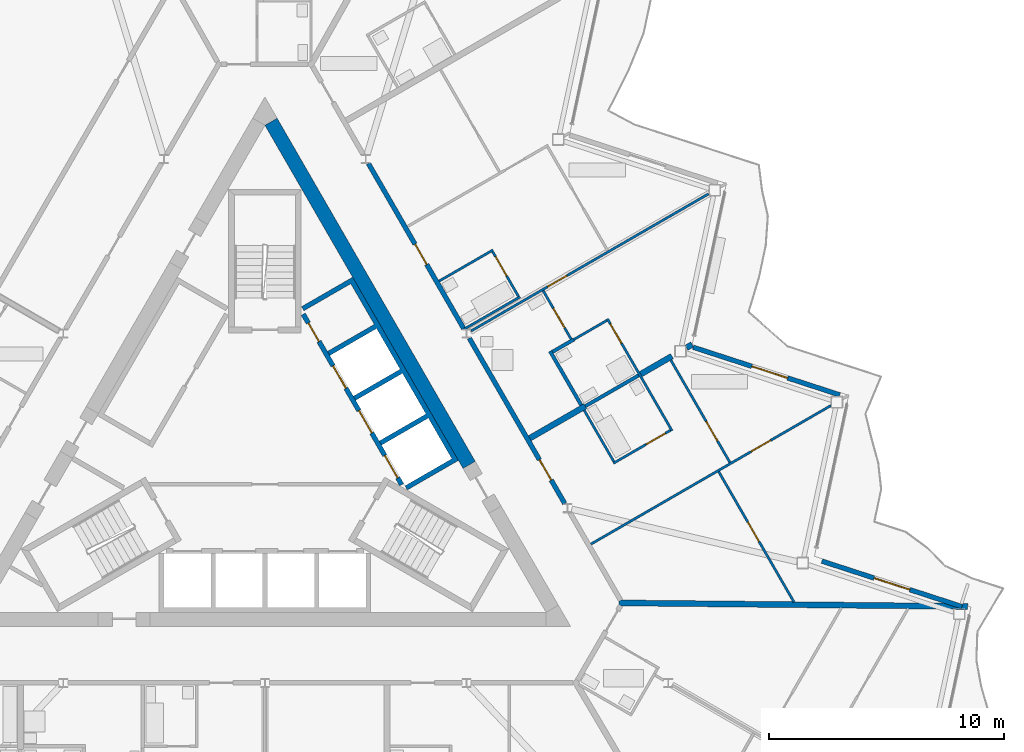
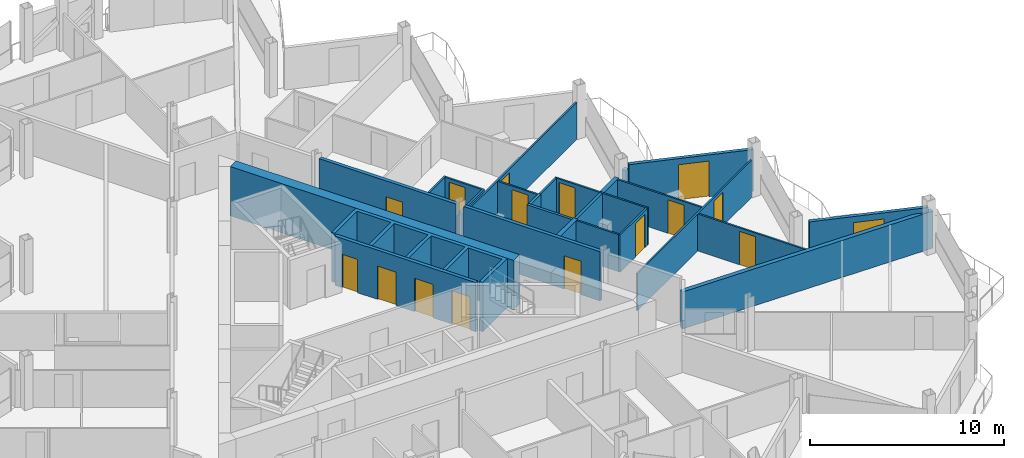
# One storey, part 16 of 26: 26 walls, 16 doors, 16 openings.
"""IFC4 building model written with IfcOpenShell, lengths in metres."""

from ifc_helpers import new_model, si_unit, direction, frame, frame_2d, origin, place, context, subcontext, project, spatial, polyline, rectangle, outline, extrude, material, layer, layer_set, type_object, element, fill, save


model = new_model("IFC4")

# Units and contexts
model_context = context("Model", 3, precision=1e-05, world=origin(), true_north=direction((0.0, 1.0)))
body_context = subcontext(model_context, "Body", "Model", "MODEL_VIEW")
ifc_project = project(units=[si_unit("LENGTHUNIT", "METRE"), si_unit("AREAUNIT", "SQUARE_METRE"), si_unit("VOLUMEUNIT", "CUBIC_METRE"), si_unit("PLANEANGLEUNIT", "RADIAN"), si_unit("MASSUNIT", "GRAM", prefix="KILO")], contexts=[model_context])

# Site, building, storey
site_placement = place(None, origin())
site = spatial("IfcSite", under=ifc_project, at=site_placement, CompositionType="ELEMENT")
building_placement = place(site_placement, origin())
building = spatial("IfcBuilding", under=site, at=building_placement, Name="Cormorant Prow Tower", CompositionType="ELEMENT")
storey_placement = place(building_placement, frame((0.0, 0.0, 371.199951171875)))
storey = spatial("IfcBuildingStorey", under=building, at=storey_placement, Name="L83", CompositionType="ELEMENT", Elevation=371.199951171875)

# Wall
ifc_material_1 = material(Name="Concrete 8000 psi", Category="concrete")
ifc_layer_1 = layer(ifc_material_1, 0.60009765625)
ifc_layer_set_1 = layer_set([ifc_layer_1], Name="Concrete 8000 psi")
wall_type_1 = type_object("IfcWallType", Name="Core shear wall 600", PredefinedType="SHEAR", material=ifc_layer_set_1)
wall_1_placement = place(storey_placement, frame((8.686279296875, -0.6337890625, 0.0), z_axis=(0.0, 0.0, 1.0), x_axis=(-0.500004601921, 0.866022746848, 0.0)))
element("IfcWall", 1, at=wall_1_placement, inside=storey, type_object=wall_type_1, Name="Core wall", PredefinedType="SHEAR", context=body_context, shape_type="SweptSolid", body=[
    extrude(rectangle(XDim=16.852783203125, YDim=0.60009765625, at=frame_2d((8.42626953125, 0.0))), origin(), (0.0, 0.0, 1.0), 3.10009765625),
])

# Wall, opening, door
ifc_material_2 = material(Name="Gypsum board corridor wall")
ifc_layer_2 = layer(ifc_material_2, 0.199951171875)
ifc_layer_set_2 = layer_set([ifc_layer_2], Name="Gypsum board corridor wall")
wall_type_2 = type_object("IfcWallType", Name="Corridor wall 200", PredefinedType="PARTITIONING", material=ifc_layer_set_2)
wall_2_placement = place(storey_placement, frame((4.403076171875, 12.184814453125, 0.0), z_axis=(0.0, 0.0, 1.0), x_axis=(0.499992155518, -0.866029932751, 0.0)))
wall_2 = element("IfcWall", 2, at=wall_2_placement, inside=storey, type_object=wall_type_2, Name="Corridor wall", PredefinedType="PARTITIONING", context=body_context, shape_type="SweptSolid", body=[
    extrude(rectangle(XDim=8.123291015625, YDim=0.199951171875, at=frame_2d((4.0615234375, 0.0))), origin(), (0.0, 0.0, 1.0), 3.10009765625),
])
opening_1_placement = place(wall_2_placement, frame((3.963134765625, 0.0, 0.0)))
opening_1 = element("IfcOpeningElement", 3, at=opening_1_placement, cuts=wall_2, Name="Opening L83-F27", PredefinedType="OPENING", context=body_context, shape_type="SweptSolid", body=[
    extrude(rectangle(XDim=1.0, YDim=2.10009765625, at=frame_2d((0.5, 1.050048828125))), frame((0.0, 0.10986328125, 0.0), z_axis=(0.0, -1.0, 0.0), x_axis=(1.0, 0.0, 0.0)), (0.0, 0.0, 1.0), 0.219970703125),
])
ifc_material_3 = material(Name="Timber door leaf", Category="wood")
door_type_1 = type_object("IfcDoorType", Name="Flat or room entrance door 1000x2100", OperationType="NOTDEFINED", PredefinedType="DOOR", material=ifc_material_3)
door_1_placement = place(opening_1_placement, origin())
door_1 = element("IfcDoor", 4, at=door_1_placement, inside=storey, type_object=door_type_1, Name="Living room door", OperationType="SINGLE_SWING_LEFT", OverallHeight=2.10009765625, OverallWidth=1.0, PredefinedType="DOOR", context=body_context, shape_type="SweptSolid", body=[
    extrude(rectangle(XDim=1.0, YDim=2.10009765625, at=frame_2d((0.5, 1.050048828125))), frame((0.0, 0.02490234375, 0.0), z_axis=(0.0, -1.0, 0.0), x_axis=(1.0, 0.0, 0.0)), (0.0, 0.0, 1.0), 0.050048828125),
])
fill(opening_1, door_1)

wall_3_placement = place(storey_placement, frame((8.692138671875, 4.755859375, 0.0), z_axis=(0.0, 0.0, 1.0), x_axis=(0.500001682468, -0.866024432409, 0.0)))
wall_3 = element("IfcWall", 5, at=wall_3_placement, inside=storey, type_object=wall_type_2, Name="Corridor wall", PredefinedType="PARTITIONING", context=body_context, shape_type="SweptSolid", body=[
    extrude(rectangle(XDim=8.12353515625, YDim=0.199951171875, at=frame_2d((4.061767578125, 0.0))), origin(), (0.0, 0.0, 1.0), 3.10009765625),
])
opening_2_placement = place(wall_3_placement, frame((5.97021484375, 0.0, 0.0)))
opening_2 = element("IfcOpeningElement", 6, at=opening_2_placement, cuts=wall_3, Name="Opening L83-F22", PredefinedType="OPENING", context=body_context, shape_type="SweptSolid", body=[
    extrude(rectangle(XDim=1.0, YDim=2.10009765625, at=frame_2d((0.5, 1.050048828125))), frame((0.0, 0.10986328125, 0.0), z_axis=(0.0, -1.0, 0.0), x_axis=(1.0, 0.0, 0.0)), (0.0, 0.0, 1.0), 0.219970703125),
])
door_2_placement = place(opening_2_placement, origin())
door_2 = element("IfcDoor", 7, at=door_2_placement, inside=storey, type_object=door_type_1, Name="Living room door", OperationType="SINGLE_SWING_LEFT", OverallHeight=2.10009765625, OverallWidth=1.0, PredefinedType="DOOR", context=body_context, shape_type="SweptSolid", body=[
    extrude(rectangle(XDim=1.0, YDim=2.10009765625, at=frame_2d((0.5, 1.050048828125))), frame((0.0, 0.02490234375, 0.0), z_axis=(0.0, -1.0, 0.0), x_axis=(1.0, 0.0, 0.0)), (0.0, 0.0, 1.0), 0.050048828125),
])
fill(opening_2, door_2)

ifc_material_4 = material(Name="Gypsum board partition")
ifc_layer_3 = layer(ifc_material_4, 0.10009765625)
ifc_layer_set_3 = layer_set([ifc_layer_3], Name="Gypsum board partition")
wall_type_3 = type_object("IfcWallType", Name="Internal partition 100", PredefinedType="PARTITIONING", material=ifc_layer_set_3)
wall_4_placement = place(storey_placement, frame((13.864990234375, -4.00390625, 0.0), z_axis=(0.0, 0.0, 1.0), x_axis=(0.866023404247, 0.500003463284, 0.0)))
wall_4 = element("IfcWall", 8, at=wall_4_placement, inside=storey, type_object=wall_type_3, Name="Internal partition", PredefinedType="PARTITIONING", context=body_context, shape_type="SweptSolid", body=[
    extrude(rectangle(XDim=11.7822265625, YDim=0.10009765625, at=frame_2d((5.89111328125, 0.0))), origin(), (0.0, 0.0, 1.0), 2.330078125),
])
opening_3_placement = place(wall_4_placement, frame((7.87353515625, 0.0, 0.0)))
opening_3 = element("IfcOpeningElement", 9, at=opening_3_placement, cuts=wall_4, Name="Opening L83-F25", PredefinedType="OPENING", context=body_context, shape_type="SweptSolid", body=[
    extrude(rectangle(XDim=0.949951171875, YDim=2.10009765625, at=frame_2d((0.47509765625, 1.050048828125))), frame((0.0, 0.06005859375, 0.0), z_axis=(0.0, -1.0, 0.0), x_axis=(1.0, 0.0, 0.0)), (0.0, 0.0, 1.0), 0.1201171875),
])
ifc_material_5 = material(Name="Timber door leaf", Category="wood")
door_type_2 = type_object("IfcDoorType", Name="Bathroom door 950x2100", OperationType="NOTDEFINED", PredefinedType="DOOR", material=ifc_material_5)
door_3_placement = place(opening_3_placement, origin())
door_3 = element("IfcDoor", 10, at=door_3_placement, inside=storey, type_object=door_type_2, Name="Kitchen door", OperationType="SINGLE_SWING_LEFT", OverallHeight=2.10009765625, OverallWidth=0.949951171875, PredefinedType="DOOR", context=body_context, shape_type="SweptSolid", body=[
    extrude(rectangle(XDim=0.949951171875, YDim=2.10009765625, at=frame_2d((0.47509765625, 1.050048828125))), frame((0.0, 0.02490234375, 0.0), z_axis=(0.0, -1.0, 0.0), x_axis=(1.0, 0.0, 0.0)), (0.0, 0.0, 1.0), 0.050048828125),
])
fill(opening_3, door_3)

wall_5_placement = place(storey_placement, frame((8.775390625, 5.06640625, 0.0), z_axis=(0.0, 0.0, 1.0), x_axis=(0.866023724155, 0.500002909193, 0.0)))
wall_5 = element("IfcWall", 11, at=wall_5_placement, inside=storey, type_object=wall_type_3, Name="Internal partition", PredefinedType="PARTITIONING", context=body_context, shape_type="SweptSolid", body=[
    extrude(rectangle(XDim=11.65478515625, YDim=0.10009765625, at=frame_2d((5.827392578125, 0.0))), origin(), (0.0, 0.0, 1.0), 2.330078125),
])
opening_4_placement = place(wall_5_placement, frame((3.75146484375, 0.0, 0.0)))
opening_4 = element("IfcOpeningElement", 12, at=opening_4_placement, cuts=wall_5, Name="Opening L83-F30", PredefinedType="OPENING", context=body_context, shape_type="SweptSolid", body=[
    extrude(rectangle(XDim=0.949951171875, YDim=2.10009765625, at=frame_2d((0.47509765625, 1.050048828125))), frame((0.0, 0.06005859375, 0.0), z_axis=(0.0, -1.0, 0.0), x_axis=(1.0, 0.0, 0.0)), (0.0, 0.0, 1.0), 0.1201171875),
])
door_4_placement = place(opening_4_placement, origin())
door_4 = element("IfcDoor", 13, at=door_4_placement, inside=storey, type_object=door_type_2, Name="Living room door", OperationType="SINGLE_SWING_LEFT", OverallHeight=2.10009765625, OverallWidth=0.949951171875, PredefinedType="DOOR", context=body_context, shape_type="SweptSolid", body=[
    extrude(rectangle(XDim=0.949951171875, YDim=2.10009765625, at=frame_2d((0.47509765625, 1.050048828125))), frame((0.0, 0.02490234375, 0.0), z_axis=(0.0, -1.0, 0.0), x_axis=(1.0, 0.0, 0.0)), (0.0, 0.0, 1.0), 0.050048828125),
])
fill(opening_4, door_4)

wall_6_placement = place(storey_placement, frame((19.301513671875, -0.9228515625, 0.0), z_axis=(0.0, 0.0, 1.0), x_axis=(0.499999516514, -0.866025682925, 0.0)))
wall_6 = element("IfcWall", 14, at=wall_6_placement, inside=storey, type_object=wall_type_3, Name="Internal partition", PredefinedType="PARTITIONING", context=body_context, shape_type="SweptSolid", body=[
    extrude(rectangle(XDim=6.4072265625, YDim=0.10009765625, at=frame_2d((3.20361328125, 0.0))), origin(), (0.0, 0.0, 1.0), 2.330078125),
])
opening_5_placement = place(wall_6_placement, frame((2.4755859375, 0.0, 0.0)))
opening_5 = element("IfcOpeningElement", 15, at=opening_5_placement, cuts=wall_6, Name="Opening L83-F26", PredefinedType="OPENING", context=body_context, shape_type="SweptSolid", body=[
    extrude(rectangle(XDim=0.949951171875, YDim=2.10009765625, at=frame_2d((0.47509765625, 1.050048828125))), frame((0.0, 0.06005859375, 0.0), z_axis=(0.0, -1.0, 0.0), x_axis=(1.0, 0.0, 0.0)), (0.0, 0.0, 1.0), 0.1201171875),
])
door_5_placement = place(opening_5_placement, origin())
door_5 = element("IfcDoor", 16, at=door_5_placement, inside=storey, type_object=door_type_2, Name="Bedroom door", OperationType="SINGLE_SWING_LEFT", OverallHeight=2.10009765625, OverallWidth=0.949951171875, PredefinedType="DOOR", context=body_context, shape_type="SweptSolid", body=[
    extrude(rectangle(XDim=0.949951171875, YDim=2.10009765625, at=frame_2d((0.47509765625, 1.050048828125))), frame((0.0, 0.02490234375, 0.0), z_axis=(0.0, -1.0, 0.0), x_axis=(1.0, 0.0, 0.0)), (0.0, 0.0, 1.0), 0.050048828125),
])
fill(opening_5, door_5)

wall_7_placement = place(storey_placement, frame((14.566650390625, 5.5810546875, 0.0), z_axis=(0.0, 0.0, 1.0), x_axis=(0.499996545922, -0.866027397988, 0.0)))
wall_7 = element("IfcWall", 17, at=wall_7_placement, inside=storey, type_object=wall_type_3, Name="Internal partition", PredefinedType="PARTITIONING", context=body_context, shape_type="SweptSolid", body=[
    extrude(rectangle(XDim=5.5, YDim=0.10009765625, at=frame_2d((2.75, 0.0))), origin(), (0.0, 0.0, 1.0), 2.330078125),
])
opening_6_placement = place(wall_7_placement, frame((0.25, 0.0, 0.0)))
opening_6 = element("IfcOpeningElement", 18, at=opening_6_placement, cuts=wall_7, Name="Opening L83-F34", PredefinedType="OPENING", context=body_context, shape_type="SweptSolid", body=[
    extrude(rectangle(XDim=0.949951171875, YDim=2.10009765625, at=frame_2d((0.47509765625, 1.050048828125))), frame((0.0, 0.06005859375, 0.0), z_axis=(0.0, -1.0, 0.0), x_axis=(1.0, 0.0, 0.0)), (0.0, 0.0, 1.0), 0.1201171875),
])
door_6_placement = place(opening_6_placement, origin())
door_6 = element("IfcDoor", 19, at=door_6_placement, inside=storey, type_object=door_type_2, Name="Bedroom door", OperationType="SINGLE_SWING_LEFT", OverallHeight=2.10009765625, OverallWidth=0.949951171875, PredefinedType="DOOR", context=body_context, shape_type="SweptSolid", body=[
    extrude(rectangle(XDim=0.949951171875, YDim=2.10009765625, at=frame_2d((0.47509765625, 1.050048828125))), frame((0.0, 0.02490234375, 0.0), z_axis=(0.0, -1.0, 0.0), x_axis=(1.0, 0.0, 0.0)), (0.0, 0.0, 1.0), 0.050048828125),
])
fill(opening_6, door_6)

wall_8_placement = place(storey_placement, frame((17.266357421875, 3.81982421875, 0.0), z_axis=(0.0, 0.0, 1.0), x_axis=(0.499990214365, -0.86603105345, 0.0)))
wall_8 = element("IfcWall", 20, at=wall_8_placement, inside=storey, type_object=wall_type_3, Name="Internal partition", PredefinedType="PARTITIONING", context=body_context, shape_type="SweptSolid", body=[
    extrude(rectangle(XDim=5.02490234375, YDim=0.10009765625, at=frame_2d((2.512451171875, 0.0))), origin(), (0.0, 0.0, 1.0), 2.330078125),
])
opening_7_placement = place(wall_8_placement, frame((3.0078125, 0.0, 0.0)))
opening_7 = element("IfcOpeningElement", 21, at=opening_7_placement, cuts=wall_8, Name="Opening L83-F24", PredefinedType="OPENING", context=body_context, shape_type="SweptSolid", body=[
    extrude(rectangle(XDim=0.949951171875, YDim=2.10009765625, at=frame_2d((0.47509765625, 1.050048828125))), frame((0.0, 0.06005859375, 0.0), z_axis=(0.0, -1.0, 0.0), x_axis=(1.0, 0.0, 0.0)), (0.0, 0.0, 1.0), 0.1201171875),
])
door_7_placement = place(opening_7_placement, origin())
door_7 = element("IfcDoor", 22, at=door_7_placement, inside=storey, type_object=door_type_2, Name="Living room door", OperationType="SINGLE_SWING_RIGHT", OverallHeight=2.10009765625, OverallWidth=0.949951171875, PredefinedType="DOOR", context=body_context, shape_type="SweptSolid", body=[
    extrude(rectangle(XDim=0.949951171875, YDim=2.10009765625, at=frame_2d((0.47509765625, 1.050048828125))), frame((0.0, 0.02490234375, 0.0), z_axis=(0.0, -1.0, 0.0), x_axis=(1.0, 0.0, 0.0)), (0.0, 0.0, 1.0), 0.050048828125),
])
fill(opening_7, door_7)

wall_9_placement = place(storey_placement, frame((14.823486328125, -0.563720703125, 0.0), z_axis=(0.0, 0.0, 1.0), x_axis=(0.866034573852, 0.49998411664, 0.0)))
wall_9 = element("IfcWall", 23, at=wall_9_placement, inside=storey, type_object=wall_type_3, Name="Internal partition", PredefinedType="PARTITIONING", context=body_context, shape_type="SweptSolid", body=[
    extrude(rectangle(XDim=2.7998046875, YDim=0.10009765625, at=frame_2d((1.39990234375, 0.0))), origin(), (0.0, 0.0, 1.0), 2.330078125),
])
opening_8_placement = place(wall_9_placement, frame((1.60009765625, 0.0, 0.0)))
opening_8 = element("IfcOpeningElement", 24, at=opening_8_placement, cuts=wall_9, Name="Opening L83-F23", PredefinedType="OPENING", context=body_context, shape_type="SweptSolid", body=[
    extrude(rectangle(XDim=0.949951171875, YDim=2.10009765625, at=frame_2d((0.47509765625, 1.050048828125))), frame((0.0, 0.06005859375, 0.0), z_axis=(0.0, -1.0, 0.0), x_axis=(1.0, 0.0, 0.0)), (0.0, 0.0, 1.0), 0.1201171875),
])
door_8_placement = place(opening_8_placement, origin())
door_8 = element("IfcDoor", 25, at=door_8_placement, inside=storey, type_object=door_type_2, Name="Living room door", OperationType="SINGLE_SWING_RIGHT", OverallHeight=2.10009765625, OverallWidth=0.949951171875, PredefinedType="DOOR", context=body_context, shape_type="SweptSolid", body=[
    extrude(rectangle(XDim=0.949951171875, YDim=2.10009765625, at=frame_2d((0.47509765625, 1.050048828125))), frame((0.0, 0.02490234375, 0.0), z_axis=(0.0, -1.0, 0.0), x_axis=(1.0, 0.0, 0.0)), (0.0, 0.0, 1.0), 0.050048828125),
])
fill(opening_8, door_8)

# Walls
wall_10_placement = place(storey_placement, frame((13.5791015625, 1.691162109375, 0.0), z_axis=(0.0, 0.0, 1.0), x_axis=(0.500048846702, -0.865997200291, 0.0)))
element("IfcWall", 26, at=wall_10_placement, inside=storey, type_object=wall_type_3, Name="Internal partition", PredefinedType="PARTITIONING", context=body_context, shape_type="SweptSolid", body=[
    extrude(rectangle(XDim=2.525146484375, YDim=0.10009765625, at=frame_2d((1.2626953125, 0.0))), origin(), (0.0, 0.0, 1.0), 2.330078125),
])
wall_11_placement = place(storey_placement, frame((7.406982421875, 7.181640625, 0.0), z_axis=(0.0, 0.0, 1.0), x_axis=(0.866052124492, 0.499953715521, 0.0)))
element("IfcWall", 27, at=wall_11_placement, inside=storey, type_object=wall_type_3, Name="Internal partition", PredefinedType="PARTITIONING", context=body_context, shape_type="SweptSolid", body=[
    extrude(rectangle(XDim=2.650146484375, YDim=0.10009765625, at=frame_2d((1.3251953125, 0.0))), origin(), (0.0, 0.0, 1.0), 2.330078125),
])
wall_12_placement = place(storey_placement, frame((8.48779296875, 5.14990234375, 0.0), z_axis=(0.0, 0.0, 1.0), x_axis=(0.866027727466, 0.499995975244, 0.0)))
element("IfcWall", 28, at=wall_12_placement, inside=storey, type_object=wall_type_3, Name="Internal partition", PredefinedType="PARTITIONING", context=body_context, shape_type="SweptSolid", body=[
    extrude(rectangle(XDim=2.72998046875, YDim=0.10009765625, at=frame_2d((1.364990234375, 0.0))), origin(), (0.0, 0.0, 1.0), 2.330078125),
])

# Wall, opening, door
wall_13_placement = place(storey_placement, frame((11.8349609375, 6.775146484375, 0.0), z_axis=(0.0, 0.0, 1.0), x_axis=(0.500030943131, -0.866007538022, 0.0)))
wall_13 = element("IfcWall", 29, at=wall_13_placement, inside=storey, type_object=wall_type_3, Name="Internal partition", PredefinedType="PARTITIONING", context=body_context, shape_type="SweptSolid", body=[
    extrude(rectangle(XDim=2.374755859375, YDim=0.10009765625, at=frame_2d((1.1875, 0.0))), origin(), (0.0, 0.0, 1.0), 2.330078125),
])
opening_9_placement = place(wall_13_placement, frame((0.86669921875, 0.0, 0.0)))
opening_9 = element("IfcOpeningElement", 30, at=opening_9_placement, cuts=wall_13, Name="Opening L83-F31", PredefinedType="OPENING", context=body_context, shape_type="SweptSolid", body=[
    extrude(rectangle(XDim=0.949951171875, YDim=2.10009765625, at=frame_2d((0.47509765625, 1.050048828125))), frame((0.0, 0.06005859375, 0.0), z_axis=(0.0, -1.0, 0.0), x_axis=(1.0, 0.0, 0.0)), (0.0, 0.0, 1.0), 0.1201171875),
])
door_9_placement = place(opening_9_placement, origin())
door_9 = element("IfcDoor", 31, at=door_9_placement, inside=storey, type_object=door_type_2, Name="Bedroom door", OperationType="SINGLE_SWING_RIGHT", OverallHeight=2.10009765625, OverallWidth=0.949951171875, PredefinedType="DOOR", context=body_context, shape_type="SweptSolid", body=[
    extrude(rectangle(XDim=0.949951171875, YDim=2.10009765625, at=frame_2d((0.47509765625, 1.050048828125))), frame((0.0, 0.02490234375, 0.0), z_axis=(0.0, -1.0, 0.0), x_axis=(1.0, 0.0, 0.0)), (0.0, 0.0, 1.0), 0.050048828125),
])
fill(opening_9, door_9)

wall_14_placement = place(storey_placement, frame((9.683837890625, 8.438232421875, 0.0), z_axis=(0.0, 0.0, 1.0), x_axis=(0.499994660107, -0.866028486751, 0.0)))
wall_14 = element("IfcWall", 32, at=wall_14_placement, inside=storey, type_object=wall_type_3, Name="Internal partition", PredefinedType="PARTITIONING", context=body_context, shape_type="SweptSolid", body=[
    extrude(rectangle(XDim=2.19970703125, YDim=0.10009765625, at=frame_2d((1.099853515625, 0.0))), origin(), (0.0, 0.0, 1.0), 2.330078125),
])
opening_10_placement = place(wall_14_placement, frame((0.25, 0.0, 0.0)))
opening_10 = element("IfcOpeningElement", 33, at=opening_10_placement, cuts=wall_14, Name="Opening L83-F28", PredefinedType="OPENING", context=body_context, shape_type="SweptSolid", body=[
    extrude(rectangle(XDim=0.949951171875, YDim=2.10009765625, at=frame_2d((0.47509765625, 1.050048828125))), frame((0.0, 0.06005859375, 0.0), z_axis=(0.0, -1.0, 0.0), x_axis=(1.0, 0.0, 0.0)), (0.0, 0.0, 1.0), 0.1201171875),
])
door_10_placement = place(opening_10_placement, origin())
door_10 = element("IfcDoor", 34, at=door_10_placement, inside=storey, type_object=door_type_2, Name="Living room door", OperationType="SINGLE_SWING_LEFT", OverallHeight=2.10009765625, OverallWidth=0.949951171875, PredefinedType="DOOR", context=body_context, shape_type="SweptSolid", body=[
    extrude(rectangle(XDim=0.949951171875, YDim=2.10009765625, at=frame_2d((0.47509765625, 1.050048828125))), frame((0.0, 0.02490234375, 0.0), z_axis=(0.0, -1.0, 0.0), x_axis=(1.0, 0.0, 0.0)), (0.0, 0.0, 1.0), 0.050048828125),
])
fill(opening_10, door_10)

# Wall
wall_15_placement = place(storey_placement, frame((13.1162109375, 4.68603515625, 0.0), z_axis=(0.0, 0.0, 1.0), x_axis=(0.866072496716, 0.499918423778, 0.0)))
element("IfcWall", 35, at=wall_15_placement, inside=storey, type_object=wall_type_3, Name="Internal partition", PredefinedType="PARTITIONING", context=body_context, shape_type="SweptSolid", body=[
    extrude(rectangle(XDim=1.653564453125, YDim=0.10009765625, at=frame_2d((0.82666015625, 0.0))), origin(), (0.0, 0.0, 1.0), 2.330078125),
])

# Wall, openings, doors
ifc_material_6 = material(Name="Concrete 5000 psi", Category="concrete")
ifc_layer_4 = layer(ifc_material_6, 0.199951171875)
ifc_layer_set_4 = layer_set([ifc_layer_4], Name="Concrete 5000 psi")
wall_type_4 = type_object("IfcWallType", Name="Lift lobby wall 200", PredefinedType="SOLIDWALL", material=ifc_layer_set_4)
wall_16_placement = place(storey_placement, frame((5.817138671875, -1.4755859375, 0.0), z_axis=(0.0, 0.0, 1.0), x_axis=(-0.500002616675, 0.866023893041, 0.0)))
wall_16 = element("IfcWall", 36, at=wall_16_placement, inside=storey, type_object=wall_type_4, Name="Lift lobby wall, ENE block", PredefinedType="SOLIDWALL", context=body_context, shape_type="SweptSolid", body=[
    extrude(rectangle(XDim=8.373046875, YDim=0.199951171875, at=frame_2d((4.1865234375, 0.0))), origin(), (0.0, 0.0, 1.0), 3.10009765625),
])
opening_11_placement = place(wall_16_placement, frame((0.336669921875, 0.0, 0.0)))
opening_11 = element("IfcOpeningElement", 37, at=opening_11_placement, cuts=wall_16, Name="Opening L83-C05", PredefinedType="OPENING", context=body_context, shape_type="SweptSolid", body=[
    extrude(rectangle(XDim=1.10009765625, YDim=2.10009765625, at=frame_2d((0.550048828125, 1.050048828125))), frame((0.0, 0.10986328125, 0.0), z_axis=(0.0, -1.0, 0.0), x_axis=(1.0, 0.0, 0.0)), (0.0, 0.0, 1.0), 0.219970703125),
])
opening_12_placement = place(wall_16_placement, frame((2.53662109375, 0.0, 0.0)))
opening_12 = element("IfcOpeningElement", 38, at=opening_12_placement, cuts=wall_16, Name="Opening L83-C06", PredefinedType="OPENING", context=body_context, shape_type="SweptSolid", body=[
    extrude(rectangle(XDim=1.10009765625, YDim=2.10009765625, at=frame_2d((0.550048828125, 1.050048828125))), frame((0.0, 0.10986328125, 0.0), z_axis=(0.0, -1.0, 0.0), x_axis=(1.0, 0.0, 0.0)), (0.0, 0.0, 1.0), 0.219970703125),
])
opening_13_placement = place(wall_16_placement, frame((4.736572265625, 0.0, 0.0)))
opening_13 = element("IfcOpeningElement", 39, at=opening_13_placement, cuts=wall_16, Name="Opening L83-C07", PredefinedType="OPENING", context=body_context, shape_type="SweptSolid", body=[
    extrude(rectangle(XDim=1.10009765625, YDim=2.10009765625, at=frame_2d((0.550048828125, 1.050048828125))), frame((0.0, 0.10986328125, 0.0), z_axis=(0.0, -1.0, 0.0), x_axis=(1.0, 0.0, 0.0)), (0.0, 0.0, 1.0), 0.219970703125),
])
opening_14_placement = place(wall_16_placement, frame((7.03662109375, 0.0, 0.0)))
opening_14 = element("IfcOpeningElement", 40, at=opening_14_placement, cuts=wall_16, Name="Opening L83-C08", PredefinedType="OPENING", context=body_context, shape_type="SweptSolid", body=[
    extrude(rectangle(XDim=0.89990234375, YDim=2.10009765625, at=frame_2d((0.449951171875, 1.050048828125))), frame((0.0, 0.10986328125, 0.0), z_axis=(0.0, -1.0, 0.0), x_axis=(1.0, 0.0, 0.0)), (0.0, 0.0, 1.0), 0.219970703125),
])
ifc_material_7 = material(Name="Painted steel", Category="steel")
door_type_3 = type_object("IfcDoorType", Name="Lift landing door 1100x2100", OperationType="SLIDING_TO_LEFT", PredefinedType="DOOR", material=ifc_material_7)
door_11_placement = place(opening_11_placement, origin())
door_11 = element("IfcDoor", 41, at=door_11_placement, inside=storey, type_object=door_type_3, Name="Landing door HR2", OperationType="SLIDING_TO_LEFT", OverallHeight=2.10009765625, OverallWidth=1.10009765625, PredefinedType="DOOR", context=body_context, shape_type="SweptSolid", body=[
    extrude(rectangle(XDim=1.10009765625, YDim=2.10009765625, at=frame_2d((0.550048828125, 1.050048828125))), frame((0.0, 0.02490234375, 0.0), z_axis=(0.0, -1.0, 0.0), x_axis=(1.0, 0.0, 0.0)), (0.0, 0.0, 1.0), 0.050048828125),
])
fill(opening_11, door_11)
door_12_placement = place(opening_12_placement, origin())
door_12 = element("IfcDoor", 42, at=door_12_placement, inside=storey, type_object=door_type_3, Name="Landing door HR3", OperationType="SLIDING_TO_LEFT", OverallHeight=2.10009765625, OverallWidth=1.10009765625, PredefinedType="DOOR", context=body_context, shape_type="SweptSolid", body=[
    extrude(rectangle(XDim=1.10009765625, YDim=2.10009765625, at=frame_2d((0.550048828125, 1.050048828125))), frame((0.0, 0.02490234375, 0.0), z_axis=(0.0, -1.0, 0.0), x_axis=(1.0, 0.0, 0.0)), (0.0, 0.0, 1.0), 0.050048828125),
])
fill(opening_12, door_12)
door_13_placement = place(opening_13_placement, origin())
door_13 = element("IfcDoor", 43, at=door_13_placement, inside=storey, type_object=door_type_3, Name="Landing door HR4", OperationType="SLIDING_TO_LEFT", OverallHeight=2.10009765625, OverallWidth=1.10009765625, PredefinedType="DOOR", context=body_context, shape_type="SweptSolid", body=[
    extrude(rectangle(XDim=1.10009765625, YDim=2.10009765625, at=frame_2d((0.550048828125, 1.050048828125))), frame((0.0, 0.02490234375, 0.0), z_axis=(0.0, -1.0, 0.0), x_axis=(1.0, 0.0, 0.0)), (0.0, 0.0, 1.0), 0.050048828125),
])
fill(opening_13, door_13)
ifc_material_8 = material(Name="Painted steel", Category="steel")
door_type_4 = type_object("IfcDoorType", Name="Service door 900x2100", OperationType="NOTDEFINED", PredefinedType="DOOR", material=ifc_material_8)
door_14_placement = place(opening_14_placement, origin())
door_14 = element("IfcDoor", 44, at=door_14_placement, inside=storey, type_object=door_type_4, Name="Service door, Housekeeping store", OperationType="SINGLE_SWING_RIGHT", OverallHeight=2.10009765625, OverallWidth=0.89990234375, PredefinedType="DOOR", context=body_context, shape_type="SweptSolid", body=[
    extrude(rectangle(XDim=0.89990234375, YDim=2.10009765625, at=frame_2d((0.449951171875, 1.050048828125))), frame((0.0, 0.02490234375, 0.0), z_axis=(0.0, -1.0, 0.0), x_axis=(1.0, 0.0, 0.0)), (0.0, 0.0, 1.0), 0.050048828125),
])
fill(opening_14, door_14)

# Walls
ifc_material_9 = material(Name="Concrete 8000 psi", Category="concrete")
ifc_layer_5 = layer(ifc_material_9, 0.199951171875)
ifc_layer_set_5 = layer_set([ifc_layer_5], Name="Concrete 8000 psi")
wall_type_5 = type_object("IfcWallType", Name="Lift shaft wall 200", PredefinedType="SHEAR", material=ifc_layer_set_5)
wall_17_placement = place(storey_placement, origin())
element("IfcWall", 45, at=wall_17_placement, inside=storey, type_object=wall_type_5, Name="Lift shaft walls, ENE block", PredefinedType="SHEAR", context=body_context, shape_type="SweptSolid", body=[
    extrude(outline(polyline([(1.560546875, 6.09716796875), (3.730712890625, 7.35009765625), (8.230712890625, -0.444091796875), (6.060546875, -1.697021484375), (5.96044921875, -1.52392578125), (7.952392578125, -0.373779296875), (6.952392578125, 1.358154296875), (4.96044921875, 0.2080078125), (4.860595703125, 0.38134765625), (6.852294921875, 1.53125), (5.852294921875, 3.263427734375), (3.860595703125, 2.11328125), (3.760498046875, 2.28662109375), (5.75244140625, 3.4365234375), (4.75244140625, 5.168701171875), (2.760498046875, 4.018798828125), (2.660400390625, 4.19189453125), (4.65234375, 5.341796875), (3.65234375, 7.073974609375), (1.660400390625, 5.923828125), (1.560546875, 6.09716796875)])), origin(), (0.0, 0.0, 1.0), 3.10009765625),
])
ifc_material_10 = material(Name="Acoustic gypsum party wall")
ifc_layer_6 = layer(ifc_material_10, 0.25)
ifc_layer_set_6 = layer_set([ifc_layer_6], Name="Acoustic gypsum party wall")
wall_type_6 = type_object("IfcWallType", Name="Suite party wall 250", PredefinedType="PARTITIONING", material=ifc_layer_set_6)
wall_18_placement = place(storey_placement, frame((15.06884765625, -6.504150390625, 0.0), z_axis=(0.0, 0.0, 1.0), x_axis=(0.999949045807, -0.01009483976, 0.0)))
element("IfcWall", 46, at=wall_18_placement, inside=storey, type_object=wall_type_6, Name="Suite party wall", PredefinedType="PARTITIONING", context=body_context, shape_type="SweptSolid", body=[
    extrude(rectangle(XDim=14.8251953125, YDim=0.25, at=frame_2d((7.41259765625, 0.0))), origin(), (0.0, 0.0, 1.0), 2.330078125),
])
wall_19_placement = place(storey_placement, frame((11.26513671875, 0.49951171875, 0.0), z_axis=(0.0, 0.0, 1.0), x_axis=(0.866051307416, 0.49995513091, 0.0)))
element("IfcWall", 47, at=wall_19_placement, inside=storey, type_object=wall_type_6, Name="Suite party wall", PredefinedType="PARTITIONING", context=body_context, shape_type="SweptSolid", body=[
    extrude(rectangle(XDim=2.724853515625, YDim=0.25, at=frame_2d((1.3623046875, 0.0))), origin(), (0.0, 0.0, 1.0), 2.330078125),
])
wall_20_placement = place(storey_placement, frame((15.98486328125, 3.224365234375, 0.0), z_axis=(0.0, 0.0, 1.0), x_axis=(0.865989259495, 0.50006259852, 0.0)))
element("IfcWall", 48, at=wall_20_placement, inside=storey, type_object=wall_type_6, Name="Suite party wall", PredefinedType="PARTITIONING", context=body_context, shape_type="SweptSolid", body=[
    extrude(rectangle(XDim=1.532470703125, YDim=0.25, at=frame_2d((0.76611328125, 0.0))), origin(), (0.0, 0.0, 1.0), 2.330078125),
])
wall_21_placement = place(storey_placement, frame((17.933837890625, 4.349609375, 0.0), z_axis=(0.0, 0.0, 1.0), x_axis=(0.866288059981, 0.499544789918, 0.0)))
element("IfcWall", 49, at=wall_21_placement, inside=storey, type_object=wall_type_6, Name="Suite party wall", PredefinedType="PARTITIONING", context=body_context, shape_type="SweptSolid", body=[
    extrude(rectangle(XDim=0.277587890625, YDim=0.25, at=frame_2d((0.138671875, 0.0))), origin(), (0.0, 0.0, 1.0), 2.330078125),
])

# Wall, opening, door
ifc_material_11 = material(Name="Terracotta", Category="masonry")
ifc_layer_7 = layer(ifc_material_11, 0.199951171875)
ifc_layer_set_7 = layer_set([ifc_layer_7], Name="Terracotta")
wall_type_7 = type_object("IfcWallType", Name="Terracotta jamb wall 200", PredefinedType="SOLIDWALL", material=ifc_layer_set_7)
wall_22_placement = place(storey_placement, frame((29.64990234375, -6.66259765625, 0.0), z_axis=(0.0, 0.0, 1.0), x_axis=(-0.951056402988, 0.3090173431, 0.0)))
wall_22 = element("IfcWall", 50, at=wall_22_placement, inside=storey, type_object=wall_type_7, Name="Terracotta jamb wall ENE01", PredefinedType="SOLIDWALL", context=body_context, shape_type="SweptSolid", body=[
    extrude(rectangle(XDim=6.26513671875, YDim=0.199951171875, at=frame_2d((3.132568359375, 0.0))), origin(), (0.0, 0.0, 1.0), 2.634033203125),
])
opening_15_placement = place(wall_22_placement, frame((2.332763671875, 0.0, 0.0)))
opening_15 = element("IfcOpeningElement", 51, at=opening_15_placement, cuts=wall_22, Name="Opening ED83.06", PredefinedType="OPENING", context=body_context, shape_type="SweptSolid", body=[
    extrude(rectangle(XDim=1.60009765625, YDim=2.25, at=frame_2d((0.800048828125, 1.125))), frame((0.0, 0.10986328125, 0.0), z_axis=(0.0, -1.0, 0.0), x_axis=(1.0, 0.0, 0.0)), (0.0, 0.0, 1.0), 0.219970703125),
])
ifc_material_12 = material(Name="Aluminium 6063-T6", Category="aluminium")
door_type_5 = type_object("IfcDoorType", Name="Balcony door 1600x2250", OperationType="DOUBLE_DOOR_SINGLE_SWING", PredefinedType="DOOR", material=ifc_material_12)
door_15_placement = place(opening_15_placement, origin())
door_15 = element("IfcDoor", 52, at=door_15_placement, inside=storey, type_object=door_type_5, Name="Balcony door ENE01 ED83.06", OperationType="DOUBLE_DOOR_SINGLE_SWING", OverallHeight=2.25, OverallWidth=1.60009765625, PredefinedType="DOOR", context=body_context, shape_type="SweptSolid", body=[
    extrude(rectangle(XDim=1.60009765625, YDim=2.25, at=frame_2d((0.800048828125, 1.125))), frame((0.0, 0.02490234375, 0.0), z_axis=(0.0, -1.0, 0.0), x_axis=(1.0, 0.0, 0.0)), (0.0, 0.0, 1.0), 0.050048828125),
])
fill(opening_15, door_15)

wall_23_placement = place(storey_placement, frame((24.449951171875, 2.34423828125, 0.0), z_axis=(0.0, 0.0, 1.0), x_axis=(-0.951062538214, 0.308998460199, 0.0)))
wall_23 = element("IfcWall", 53, at=wall_23_placement, inside=storey, type_object=wall_type_7, Name="Terracotta jamb wall ENE03", PredefinedType="SOLIDWALL", context=body_context, shape_type="SweptSolid", body=[
    extrude(rectangle(XDim=6.55322265625, YDim=0.199951171875, at=frame_2d((3.276611328125, 0.0))), origin(), (0.0, 0.0, 1.0), 2.634033203125),
])
opening_16_placement = place(wall_23_placement, frame((2.332763671875, 0.0, 0.0)))
opening_16 = element("IfcOpeningElement", 54, at=opening_16_placement, cuts=wall_23, Name="Opening ED83.07", PredefinedType="OPENING", context=body_context, shape_type="SweptSolid", body=[
    extrude(rectangle(XDim=1.60009765625, YDim=2.25, at=frame_2d((0.800048828125, 1.125))), frame((0.0, 0.10986328125, 0.0), z_axis=(0.0, -1.0, 0.0), x_axis=(1.0, 0.0, 0.0)), (0.0, 0.0, 1.0), 0.219970703125),
])
door_16_placement = place(opening_16_placement, origin())
door_16 = element("IfcDoor", 55, at=door_16_placement, inside=storey, type_object=door_type_5, Name="Balcony door ENE03 ED83.07", OperationType="DOUBLE_DOOR_SINGLE_SWING", OverallHeight=2.25, OverallWidth=1.60009765625, PredefinedType="DOOR", context=body_context, shape_type="SweptSolid", body=[
    extrude(rectangle(XDim=1.60009765625, YDim=2.25, at=frame_2d((0.800048828125, 1.125))), frame((0.0, 0.02490234375, 0.0), z_axis=(0.0, -1.0, 0.0), x_axis=(1.0, 0.0, 0.0)), (0.0, 0.0, 1.0), 0.050048828125),
])
fill(opening_16, door_16)

# Walls
ifc_material_13 = material(Name="Plasterboard wet wall with pipe chase")
ifc_layer_8 = layer(ifc_material_13, 0.14990234375)
ifc_layer_set_8 = layer_set([ifc_layer_8], Name="Plasterboard wet wall with pipe chase")
wall_type_8 = type_object("IfcWallType", Name="Wet wall 150", PredefinedType="PLUMBINGWALL", material=ifc_layer_set_8)
wall_24_placement = place(storey_placement, frame((13.625, 1.86181640625, 0.0), z_axis=(0.0, 0.0, 1.0), x_axis=(0.866013657776, 0.500020344131, 0.0)))
element("IfcWall", 56, at=wall_24_placement, inside=storey, type_object=wall_type_8, Name="Wet wall", PredefinedType="PLUMBINGWALL", context=body_context, shape_type="SweptSolid", body=[
    extrude(rectangle(XDim=2.625, YDim=0.14990234375, at=frame_2d((1.3125, 0.0))), origin(), (0.0, 0.0, 1.0), 2.330078125),
])
wall_25_placement = place(storey_placement, frame((12.129150390625, 4.20263671875, 0.0), z_axis=(0.0, 0.0, 1.0), x_axis=(0.499993606316, -0.866029095148, 0.0)))
element("IfcWall", 57, at=wall_25_placement, inside=storey, type_object=wall_type_8, Name="Wet wall", PredefinedType="PLUMBINGWALL", context=body_context, shape_type="SweptSolid", body=[
    extrude(rectangle(XDim=2.64990234375, YDim=0.14990234375, at=frame_2d((1.324951171875, 0.0))), origin(), (0.0, 0.0, 1.0), 2.330078125),
])
wall_26_placement = place(storey_placement, frame((12.231689453125, 4.17529296875, 0.0), z_axis=(0.0, 0.0, 1.0), x_axis=(0.866056787991, 0.499945637019, 0.0)))
element("IfcWall", 58, at=wall_26_placement, inside=storey, type_object=wall_type_8, Name="Wet wall", PredefinedType="PLUMBINGWALL", context=body_context, shape_type="SweptSolid", body=[
    extrude(rectangle(XDim=1.04150390625, YDim=0.14990234375, at=frame_2d((0.520751953125, 0.0))), origin(), (0.0, 0.0, 1.0), 2.330078125),
])

save(model, "model.ifc")
